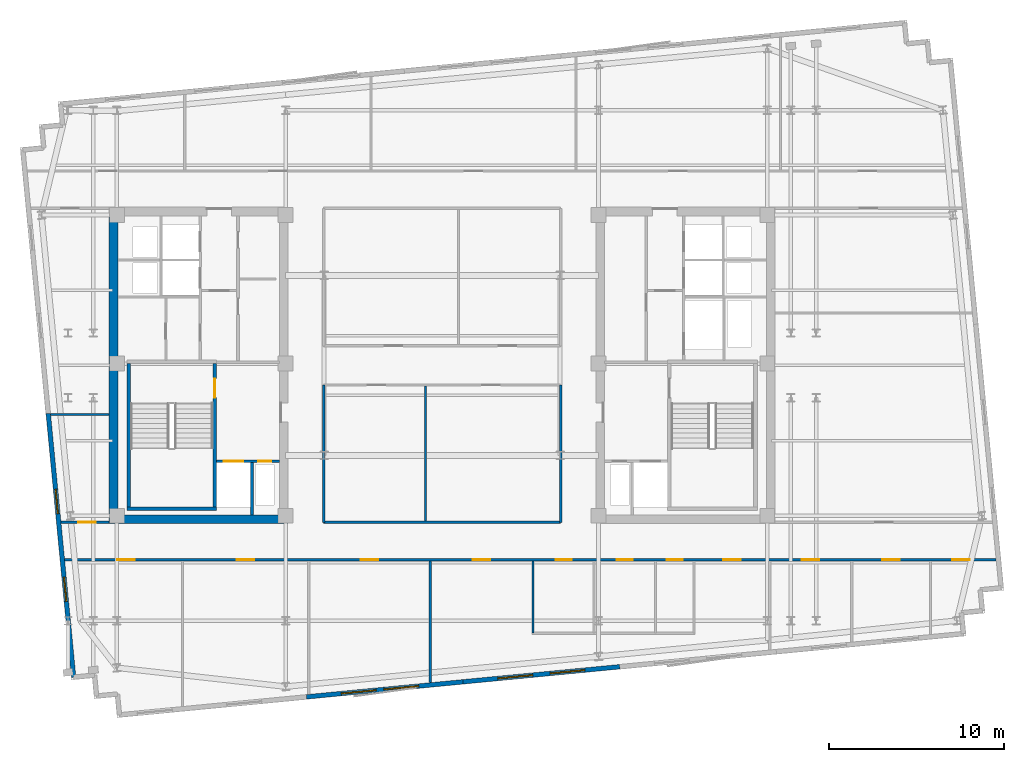
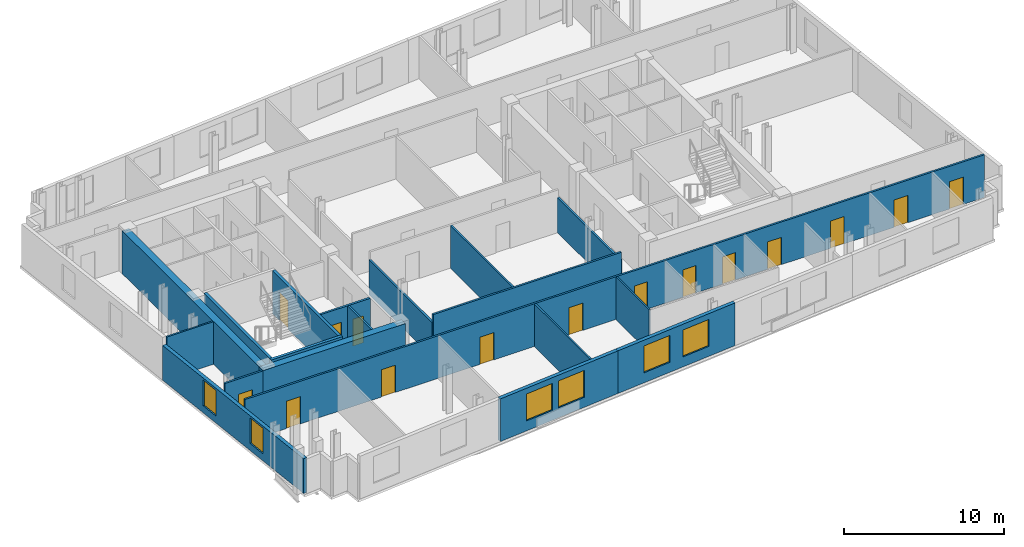
# One storey, part 3 of 9: 19 walls, 15 doors, 6 windows, 21 openings.
"""IFC4 building model written with IfcOpenShell, lengths in metres."""

from ifc_helpers import new_model, si_unit, direction, frame, frame_2d, origin, place, context, subcontext, project, spatial, rectangle, extrude, material, layer, layer_set, type_object, element, fill, save


model = new_model("IFC4")

# Units and contexts
model_context = context("Model", 3, precision=1e-05, world=origin(), true_north=direction((0.0, 1.0)))
body_context = subcontext(model_context, "Body", "Model", "MODEL_VIEW")
ifc_project = project(units=[si_unit("LENGTHUNIT", "METRE"), si_unit("AREAUNIT", "SQUARE_METRE"), si_unit("VOLUMEUNIT", "CUBIC_METRE"), si_unit("PLANEANGLEUNIT", "RADIAN"), si_unit("MASSUNIT", "GRAM", prefix="KILO")], contexts=[model_context])

# Site, building, storey
site_placement = place(None, origin())
site = spatial("IfcSite", under=ifc_project, at=site_placement, CompositionType="ELEMENT")
building_placement = place(site_placement, origin())
building = spatial("IfcBuilding", under=site, at=building_placement, Name="Velakula Bourse", CompositionType="ELEMENT")
storey_placement = place(building_placement, frame((0.0, 0.0, 262.050048828125)))
storey = spatial("IfcBuildingStorey", under=building, at=storey_placement, Name="L71", CompositionType="ELEMENT", Elevation=262.050048828125)

# Wall, opening, door
ifc_material_1 = material(Name="Concrete M50 (fck 50 MPa)", Category="concrete")
ifc_layer_1 = layer(ifc_material_1, 0.2099609375, Name="Concrete M50 (fck 50 MPa)", Category="concrete")
ifc_layer_set_1 = layer_set([ifc_layer_1], Name="Concrete M50 (fck 50 MPa)")
wall_type_1 = type_object("IfcWallType", Name="WL-CORE-210", PredefinedType="SHEAR", material=ifc_layer_set_1)
wall_1_placement = place(storey_placement, frame((-12.9951171875, -8.10009765625, 0.0), z_axis=(0.0, 0.0, 1.0), x_axis=(0.0, 1.0, 0.0)))
wall_1 = element("IfcWall", 1, at=wall_1_placement, inside=storey, type_object=wall_type_1, Name="L71 Core W Stairwell Shear Wall IN", PredefinedType="SHEAR", context=body_context, shape_type="SweptSolid", body=[
    extrude(rectangle(XDim=8.2001953125, YDim=0.2099609375, at=frame_2d((4.10009765625, 0.0))), origin(), (0.0, 0.0, 1.0), 3.27001953125),
])
opening_1_placement = place(wall_1_placement, frame((6.25, 0.0, 0.0)))
opening_1 = element("IfcOpeningElement", 2, at=opening_1_placement, cuts=wall_1, Name="Opening D-STW1", PredefinedType="OPENING", context=body_context, shape_type="SweptSolid", body=[
    extrude(rectangle(XDim=1.10009765625, YDim=2.14990234375, at=frame_2d((0.550048828125, 1.074951171875))), frame((0.0, 0.114990234375, 0.0), z_axis=(0.0, -1.0, 0.0), x_axis=(1.0, 0.0, 0.0)), (0.0, 0.0, 1.0), 0.22998046875),
])
ifc_material_2 = material(Name="Galvanised painted hollow steel fire door", Category="steel")
door_type_1 = type_object("IfcDoorType", Name="DR-FD120-1100x2150", OperationType="NOTDEFINED", PredefinedType="DOOR", material=ifc_material_2)
door_1_placement = place(opening_1_placement, origin())
door_1 = element("IfcDoor", 3, at=door_1_placement, inside=storey, type_object=door_type_1, Name="L71 Stair ST-W1 Fire Door", OperationType="SINGLE_SWING_LEFT", OverallHeight=2.14990234375, OverallWidth=1.10009765625, PredefinedType="DOOR", context=body_context, shape_type="SweptSolid", body=[
    extrude(rectangle(XDim=1.10009765625, YDim=2.14990234375, at=frame_2d((0.550048828125, 1.074951171875))), frame((0.0, 0.02490234375, 0.0), z_axis=(0.0, -1.0, 0.0), x_axis=(1.0, 0.0, 0.0)), (0.0, 0.0, 1.0), 0.050048828125),
])
fill(opening_1, door_1)

# Walls
wall_2_placement = place(storey_placement, frame((-17.925048828125, -8.10009765625, 0.0), z_axis=(0.0, 0.0, 1.0), x_axis=(0.0, 1.0, 0.0)))
element("IfcWall", 4, at=wall_2_placement, inside=storey, type_object=wall_type_1, Name="L71 Core W Stairwell Shear Wall OUT", PredefinedType="SHEAR", context=body_context, shape_type="SweptSolid", body=[
    extrude(rectangle(XDim=8.2001953125, YDim=0.2099609375, at=frame_2d((4.10009765625, 0.0))), origin(), (0.0, 0.0, 1.0), 3.27001953125),
])
wall_3_placement = place(storey_placement, frame((-18.030029296875, -8.205078125, 0.0), z_axis=(0.0, 0.0, 1.0), x_axis=(1.0, 0.0, 0.0)))
element("IfcWall", 5, at=wall_3_placement, inside=storey, type_object=wall_type_1, Name="L71 Core W Stairwell Shear Wall S", PredefinedType="SHEAR", context=body_context, shape_type="SweptSolid", body=[
    extrude(rectangle(XDim=5.14013671875, YDim=0.2099609375, at=frame_2d((2.570068359375, 0.0))), origin(), (0.0, 0.0, 1.0), 3.27001953125),
])
ifc_layer_2 = layer(ifc_material_1, 0.5, Name="Concrete M50 (fck 50 MPa)", Category="concrete")
ifc_layer_set_2 = layer_set([ifc_layer_2], Name="Concrete M50 (fck 50 MPa)")
wall_type_2 = type_object("IfcWallType", Name="WL-CORE-500", PredefinedType="SHEAR", material=ifc_layer_set_2)
wall_4_placement = place(storey_placement, frame((-19.050048828125, -8.800048828125, 0.0), z_axis=(0.0, 0.0, 1.0), x_axis=(1.0, 0.0, 0.0)))
element("IfcWall", 6, at=wall_4_placement, inside=storey, type_object=wall_type_2, Name="L71 Core W Shear Wall S", PredefinedType="SHEAR", context=body_context, shape_type="SweptSolid", body=[
    extrude(rectangle(XDim=10.25, YDim=0.5, at=frame_2d((5.125, 0.0))), origin(), (0.0, 0.0, 1.0), 3.27001953125),
])
wall_5_placement = place(storey_placement, frame((-18.800048828125, -8.550048828125, 0.0), z_axis=(0.0, 0.0, 1.0), x_axis=(0.0, 1.0, 0.0)))
element("IfcWall", 7, at=wall_5_placement, inside=storey, type_object=wall_type_2, Name="L71 Core W Shear Wall W", PredefinedType="SHEAR", context=body_context, shape_type="SweptSolid", body=[
    extrude(rectangle(XDim=17.10009765625, YDim=0.5, at=frame_2d((8.550048828125, 0.0))), origin(), (0.0, 0.0, 1.0), 3.27001953125),
])

# Wall, openings, windows
ifc_material_3 = material(Name="Buff kilned clay facing brick masonry", Category="masonry")
ifc_layer_3 = layer(ifc_material_3, 0.260009765625, Name="Buff kilned clay facing brick masonry", Category="masonry")
ifc_layer_set_3 = layer_set([ifc_layer_3], Name="Buff kilned clay facing brick masonry")
wall_type_3 = type_object("IfcWallType", Name="WL-EXT-BRK-260", PredefinedType="STANDARD", material=ifc_layer_set_3)
wall_6_placement = place(storey_placement, frame((1.202880859375, -18.1005859375, 0.0), z_axis=(0.0, 0.0, 1.0), x_axis=(-0.995397043619, -0.095836973841, 0.0)))
wall_6 = element("IfcWall", 8, at=wall_6_placement, inside=storey, type_object=wall_type_3, Name="L71 S Brick Spandrel Wall B2", PredefinedType="STANDARD", context=body_context, shape_type="SweptSolid", body=[
    extrude(rectangle(XDim=9.000244140625, YDim=0.260009765625, at=frame_2d((4.5, 0.0))), origin(), (0.0, 0.0, 1.0), 3.25),
])
opening_2_placement = place(wall_6_placement, frame((2.550048828125, 0.0, 0.760009765625)))
opening_2 = element("IfcOpeningElement", 9, at=opening_2_placement, cuts=wall_6, Name="Opening W-05", PredefinedType="OPENING", context=body_context, shape_type="SweptSolid", body=[
    extrude(rectangle(XDim=2.0, YDim=2.050048828125, at=frame_2d((1.0, 1.02490234375))), frame((0.0, 0.139892578125, 0.0), z_axis=(0.0, -1.0, 0.0), x_axis=(1.0, 0.0, 0.0)), (0.0, 0.0, 1.0), 0.280029296875),
])
opening_3_placement = place(wall_6_placement, frame((5.0, 0.0, 0.760009765625)))
opening_3 = element("IfcOpeningElement", 10, at=opening_3_placement, cuts=wall_6, Name="Opening W-05", PredefinedType="OPENING", context=body_context, shape_type="SweptSolid", body=[
    extrude(rectangle(XDim=2.0, YDim=2.050048828125, at=frame_2d((1.0, 1.02490234375))), frame((0.0, 0.139892578125, 0.0), z_axis=(0.0, -1.0, 0.0), x_axis=(1.0, 0.0, 0.0)), (0.0, 0.0, 1.0), 0.280029296875),
])
ifc_material_4 = material(Name="Double-glazed solar-control Low-E glass", Category="glass")
window_type_1 = type_object("IfcWindowType", Name="WIN-TWR-2000x2200", PartitioningType="DOUBLE_PANEL_VERTICAL", PredefinedType="WINDOW", material=ifc_material_4)
window_1_placement = place(opening_2_placement, origin())
window_1 = element("IfcWindow", 11, at=window_1_placement, inside=storey, type_object=window_type_1, Name="L71 Deep-Set Recessed Window 1", OverallHeight=2.050048828125, OverallWidth=2.0, PartitioningType="DOUBLE_PANEL_VERTICAL", PredefinedType="WINDOW", context=body_context, shape_type="SweptSolid", body=[
    extrude(rectangle(XDim=2.0, YDim=2.050048828125, at=frame_2d((1.0, 1.02490234375))), frame((0.0, 0.030029296875, 0.0), z_axis=(0.0, -1.0, 0.0), x_axis=(1.0, 0.0, 0.0)), (0.0, 0.0, 1.0), 0.06005859375),
])
fill(opening_2, window_1)
window_2_placement = place(opening_3_placement, origin())
window_2 = element("IfcWindow", 12, at=window_2_placement, inside=storey, type_object=window_type_1, Name="L71 Deep-Set Recessed Window 2", OverallHeight=2.050048828125, OverallWidth=2.0, PartitioningType="DOUBLE_PANEL_VERTICAL", PredefinedType="WINDOW", context=body_context, shape_type="SweptSolid", body=[
    extrude(rectangle(XDim=2.0, YDim=2.050048828125, at=frame_2d((1.0, 1.02490234375))), frame((0.0, 0.030029296875, 0.0), z_axis=(0.0, -1.0, 0.0), x_axis=(1.0, 0.0, 0.0)), (0.0, 0.0, 1.0), 0.06005859375),
])
fill(opening_3, window_2)

wall_7_placement = place(storey_placement, frame((10.161376953125, -17.23779296875, 0.0), z_axis=(0.0, 0.0, 1.0), x_axis=(-0.995394206237, -0.095866439332, 0.0)))
wall_7 = element("IfcWall", 13, at=wall_7_placement, inside=storey, type_object=wall_type_3, Name="L71 S Brick Spandrel Wall B3", PredefinedType="STANDARD", context=body_context, shape_type="SweptSolid", body=[
    extrude(rectangle(XDim=9.0, YDim=0.260009765625, at=frame_2d((4.5, 0.0))), origin(), (0.0, 0.0, 1.0), 3.25),
])
opening_4_placement = place(wall_7_placement, frame((2.0, 0.0, 0.760009765625)))
opening_4 = element("IfcOpeningElement", 14, at=opening_4_placement, cuts=wall_7, Name="Opening W-05", PredefinedType="OPENING", context=body_context, shape_type="SweptSolid", body=[
    extrude(rectangle(XDim=2.0, YDim=2.050048828125, at=frame_2d((1.0, 1.02490234375))), frame((0.0, 0.139892578125, 0.0), z_axis=(0.0, -1.0, 0.0), x_axis=(1.0, 0.0, 0.0)), (0.0, 0.0, 1.0), 0.280029296875),
])
opening_5_placement = place(wall_7_placement, frame((5.0, 0.0, 0.760009765625)))
opening_5 = element("IfcOpeningElement", 15, at=opening_5_placement, cuts=wall_7, Name="Opening W-05", PredefinedType="OPENING", context=body_context, shape_type="SweptSolid", body=[
    extrude(rectangle(XDim=2.0, YDim=2.050048828125, at=frame_2d((1.0, 1.02490234375))), frame((0.0, 0.139892578125, 0.0), z_axis=(0.0, -1.0, 0.0), x_axis=(1.0, 0.0, 0.0)), (0.0, 0.0, 1.0), 0.280029296875),
])
window_3_placement = place(opening_4_placement, origin())
window_3 = element("IfcWindow", 16, at=window_3_placement, inside=storey, type_object=window_type_1, Name="L71 Deep-Set Recessed Window 1", OverallHeight=2.050048828125, OverallWidth=2.0, PartitioningType="DOUBLE_PANEL_VERTICAL", PredefinedType="WINDOW", context=body_context, shape_type="SweptSolid", body=[
    extrude(rectangle(XDim=2.0, YDim=2.050048828125, at=frame_2d((1.0, 1.02490234375))), frame((0.0, 0.030029296875, 0.0), z_axis=(0.0, -1.0, 0.0), x_axis=(1.0, 0.0, 0.0)), (0.0, 0.0, 1.0), 0.06005859375),
])
fill(opening_4, window_3)
window_4_placement = place(opening_5_placement, origin())
window_4 = element("IfcWindow", 17, at=window_4_placement, inside=storey, type_object=window_type_1, Name="L71 Deep-Set Recessed Window 2", OverallHeight=2.050048828125, OverallWidth=2.0, PartitioningType="DOUBLE_PANEL_VERTICAL", PredefinedType="WINDOW", context=body_context, shape_type="SweptSolid", body=[
    extrude(rectangle(XDim=2.0, YDim=2.050048828125, at=frame_2d((1.0, 1.02490234375))), frame((0.0, 0.030029296875, 0.0), z_axis=(0.0, -1.0, 0.0), x_axis=(1.0, 0.0, 0.0)), (0.0, 0.0, 1.0), 0.06005859375),
])
fill(opening_5, window_4)

wall_8_placement = place(storey_placement, frame((-21.0751953125, -17.83447265625, 0.0), z_axis=(0.0, 0.0, 1.0), x_axis=(-0.095852427869, 0.995395555582, 0.0)))
wall_8 = element("IfcWall", 18, at=wall_8_placement, inside=storey, type_object=wall_type_3, Name="L71 W Brick End Wall W1", PredefinedType="STANDARD", context=body_context, shape_type="SweptSolid", body=[
    extrude(rectangle(XDim=15.14990234375, YDim=0.260009765625, at=frame_2d((7.574951171875, 0.0))), origin(), (0.0, 0.0, 1.0), 2.64501953125),
])
opening_6_placement = place(wall_8_placement, frame((4.35009765625, 0.0, 0.534912109375)))
opening_6 = element("IfcOpeningElement", 19, at=opening_6_placement, cuts=wall_8, Name="Opening W-03", PredefinedType="OPENING", context=body_context, shape_type="SweptSolid", body=[
    extrude(rectangle(XDim=1.39990234375, YDim=1.949951171875, at=frame_2d((0.699951171875, 0.97509765625))), frame((0.0, 0.139892578125, 0.0), z_axis=(0.0, -1.0, 0.0), x_axis=(1.0, 0.0, 0.0)), (0.0, 0.0, 1.0), 0.280029296875),
])
opening_7_placement = place(wall_8_placement, frame((9.39990234375, 0.0, 0.534912109375)))
opening_7 = element("IfcOpeningElement", 20, at=opening_7_placement, cuts=wall_8, Name="Opening W-03", PredefinedType="OPENING", context=body_context, shape_type="SweptSolid", body=[
    extrude(rectangle(XDim=1.39990234375, YDim=1.949951171875, at=frame_2d((0.699951171875, 0.97509765625))), frame((0.0, 0.139892578125, 0.0), z_axis=(0.0, -1.0, 0.0), x_axis=(1.0, 0.0, 0.0)), (0.0, 0.0, 1.0), 0.280029296875),
])
window_type_2 = type_object("IfcWindowType", Name="WIN-TWR-1400x2100", PartitioningType="SINGLE_PANEL", PredefinedType="WINDOW", material=ifc_material_4)
window_5_placement = place(opening_6_placement, origin())
window_5 = element("IfcWindow", 21, at=window_5_placement, inside=storey, type_object=window_type_2, Name="L71 Deep-Set Recessed Window 1", OverallHeight=1.949951171875, OverallWidth=1.39990234375, PartitioningType="SINGLE_PANEL", PredefinedType="WINDOW", context=body_context, shape_type="SweptSolid", body=[
    extrude(rectangle(XDim=1.39990234375, YDim=1.949951171875, at=frame_2d((0.699951171875, 0.97509765625))), frame((0.0, 0.030029296875, 0.0), z_axis=(0.0, -1.0, 0.0), x_axis=(1.0, 0.0, 0.0)), (0.0, 0.0, 1.0), 0.06005859375),
])
fill(opening_6, window_5)
window_6_placement = place(opening_7_placement, origin())
window_6 = element("IfcWindow", 22, at=window_6_placement, inside=storey, type_object=window_type_2, Name="L71 Deep-Set Recessed Window 2", OverallHeight=1.949951171875, OverallWidth=1.39990234375, PartitioningType="SINGLE_PANEL", PredefinedType="WINDOW", context=body_context, shape_type="SweptSolid", body=[
    extrude(rectangle(XDim=1.39990234375, YDim=1.949951171875, at=frame_2d((0.699951171875, 0.97509765625))), frame((0.0, 0.030029296875, 0.0), z_axis=(0.0, -1.0, 0.0), x_axis=(1.0, 0.0, 0.0)), (0.0, 0.0, 1.0), 0.06005859375),
])
fill(opening_7, window_6)

# Walls
ifc_material_5 = material(Name="Fire-rated double-layer gypsum drywall partition", Category="gypsum")
ifc_layer_4 = layer(ifc_material_5, 0.1201171875, Name="Fire-rated double-layer gypsum drywall partition", Category="gypsum")
ifc_layer_set_4 = layer_set([ifc_layer_4], Name="Fire-rated double-layer gypsum drywall partition")
wall_type_4 = type_object("IfcWallType", Name="WL-PART-120", PredefinedType="STANDARD", material=ifc_layer_set_4)
wall_9_placement = place(storey_placement, frame((5.199951171875, -15.320068359375, 0.0), z_axis=(0.0, 0.0, 1.0), x_axis=(0.0, 1.0, 0.0)))
element("IfcWall", 23, at=wall_9_placement, inside=storey, type_object=wall_type_4, Name="L71 Interior Partition WL-WC-L71-V1", PredefinedType="STANDARD", context=body_context, shape_type="SweptSolid", body=[
    extrude(rectangle(XDim=4.130126953125, YDim=0.1201171875, at=frame_2d((2.06494140625, 0.0))), origin(), (0.0, 0.0, 1.0), 3.25),
])
wall_10_placement = place(storey_placement, frame((-0.678955078125, -18.151123046875, 0.0), z_axis=(0.0, 0.0, 1.0), x_axis=(0.0, 1.0, 0.0)))
element("IfcWall", 24, at=wall_10_placement, inside=storey, type_object=wall_type_4, Name="L71 Interior Partition WL-INT-L71-SL-D7", PredefinedType="STANDARD", context=body_context, shape_type="SweptSolid", body=[
    extrude(rectangle(XDim=6.961181640625, YDim=0.1201171875, at=frame_2d((3.48046875, 0.0))), origin(), (0.0, 0.0, 1.0), 3.25),
])
wall_11_placement = place(storey_placement, frame((-22.392333984375, -2.800048828125, 0.0), z_axis=(0.0, 0.0, 1.0), x_axis=(1.0, 0.0, 0.0)))
element("IfcWall", 25, at=wall_11_placement, inside=storey, type_object=wall_type_4, Name="L71 Interior Partition WL-INT-L71-W-H", PredefinedType="STANDARD", context=body_context, shape_type="SweptSolid", body=[
    extrude(rectangle(XDim=3.34228515625, YDim=0.1201171875, at=frame_2d((1.671142578125, 0.0))), origin(), (0.0, 0.0, 1.0), 3.25),
])

# Wall, openings, doors
ifc_layer_5 = layer(ifc_material_5, 0.139892578125, Name="Fire-rated double-layer gypsum drywall partition", Category="gypsum")
ifc_layer_set_5 = layer_set([ifc_layer_5], Name="Fire-rated double-layer gypsum drywall partition")
wall_type_5 = type_object("IfcWallType", Name="WL-PART-140", PredefinedType="STANDARD", material=ifc_layer_set_5)
wall_12_placement = place(storey_placement, frame((-21.59130859375, -11.1201171875, 0.0), z_axis=(0.0, 0.0, 1.0), x_axis=(1.0, 0.0, 0.0)))
wall_12 = element("IfcWall", 26, at=wall_12_placement, inside=storey, type_object=wall_type_5, Name="L71 Interior Partition WL-INT-L71-S-CORR", PredefinedType="STANDARD", context=body_context, shape_type="SweptSolid", body=[
    extrude(rectangle(XDim=53.285400390625, YDim=0.139892578125, at=frame_2d((26.642578125, 0.0))), origin(), (0.0, 0.0, 1.0), 3.25),
])
opening_8_placement = place(wall_12_placement, frame((28.081298828125, 0.0, 0.0)))
opening_8 = element("IfcOpeningElement", 27, at=opening_8_placement, cuts=wall_12, Name="Opening D-WT1", PredefinedType="OPENING", context=body_context, shape_type="SweptSolid", body=[
    extrude(rectangle(XDim=0.919921875, YDim=2.080078125, at=frame_2d((0.4599609375, 1.0400390625))), frame((0.0, 0.079833984375, 0.0), z_axis=(0.0, -1.0, 0.0), x_axis=(1.0, 0.0, 0.0)), (0.0, 0.0, 1.0), 0.159912109375),
])
opening_9_placement = place(wall_12_placement, frame((31.581298828125, 0.0, 0.0)))
opening_9 = element("IfcOpeningElement", 28, at=opening_9_placement, cuts=wall_12, Name="Opening D-WT1", PredefinedType="OPENING", context=body_context, shape_type="SweptSolid", body=[
    extrude(rectangle(XDim=0.919921875, YDim=2.080078125, at=frame_2d((0.4599609375, 1.0400390625))), frame((0.0, 0.079833984375, 0.0), z_axis=(0.0, -1.0, 0.0), x_axis=(1.0, 0.0, 0.0)), (0.0, 0.0, 1.0), 0.159912109375),
])
opening_10_placement = place(wall_12_placement, frame((34.43115234375, 0.0, 0.0)))
opening_10 = element("IfcOpeningElement", 29, at=opening_10_placement, cuts=wall_12, Name="Opening D-WC1", PredefinedType="OPENING", context=body_context, shape_type="SweptSolid", body=[
    extrude(rectangle(XDim=0.919921875, YDim=2.080078125, at=frame_2d((0.4599609375, 1.0400390625))), frame((0.0, 0.079833984375, 0.0), z_axis=(0.0, -1.0, 0.0), x_axis=(1.0, 0.0, 0.0)), (0.0, 0.0, 1.0), 0.159912109375),
])
opening_11_placement = place(wall_12_placement, frame((3.0, 0.0, 0.0)))
opening_11 = element("IfcOpeningElement", 30, at=opening_11_placement, cuts=wall_12, Name="Opening D-OF1", PredefinedType="OPENING", context=body_context, shape_type="SweptSolid", body=[
    extrude(rectangle(XDim=1.0, YDim=2.080078125, at=frame_2d((0.5, 1.0400390625))), frame((0.0, 0.079833984375, 0.0), z_axis=(0.0, -1.0, 0.0), x_axis=(1.0, 0.0, 0.0)), (0.0, 0.0, 1.0), 0.159912109375),
])
opening_12_placement = place(wall_12_placement, frame((9.855712890625, 0.0, 0.0)))
opening_12 = element("IfcOpeningElement", 31, at=opening_12_placement, cuts=wall_12, Name="Opening D-OF1", PredefinedType="OPENING", context=body_context, shape_type="SweptSolid", body=[
    extrude(rectangle(XDim=1.0, YDim=2.080078125, at=frame_2d((0.5, 1.0400390625))), frame((0.0, 0.079833984375, 0.0), z_axis=(0.0, -1.0, 0.0), x_axis=(1.0, 0.0, 0.0)), (0.0, 0.0, 1.0), 0.159912109375),
])
opening_13_placement = place(wall_12_placement, frame((16.937744140625, 0.0, 0.0)))
opening_13 = element("IfcOpeningElement", 32, at=opening_13_placement, cuts=wall_12, Name="Opening D-OF1", PredefinedType="OPENING", context=body_context, shape_type="SweptSolid", body=[
    extrude(rectangle(XDim=1.0, YDim=2.080078125, at=frame_2d((0.5, 1.0400390625))), frame((0.0, 0.079833984375, 0.0), z_axis=(0.0, -1.0, 0.0), x_axis=(1.0, 0.0, 0.0)), (0.0, 0.0, 1.0), 0.159912109375),
])
opening_14_placement = place(wall_12_placement, frame((23.351806640625, 0.0, 0.0)))
opening_14 = element("IfcOpeningElement", 33, at=opening_14_placement, cuts=wall_12, Name="Opening D-OF1", PredefinedType="OPENING", context=body_context, shape_type="SweptSolid", body=[
    extrude(rectangle(XDim=1.0, YDim=2.080078125, at=frame_2d((0.5, 1.0400390625))), frame((0.0, 0.079833984375, 0.0), z_axis=(0.0, -1.0, 0.0), x_axis=(1.0, 0.0, 0.0)), (0.0, 0.0, 1.0), 0.159912109375),
])
opening_15_placement = place(wall_12_placement, frame((37.66259765625, 0.0, 0.0)))
opening_15 = element("IfcOpeningElement", 34, at=opening_15_placement, cuts=wall_12, Name="Opening D-OF1", PredefinedType="OPENING", context=body_context, shape_type="SweptSolid", body=[
    extrude(rectangle(XDim=1.0, YDim=2.080078125, at=frame_2d((0.5, 1.0400390625))), frame((0.0, 0.079833984375, 0.0), z_axis=(0.0, -1.0, 0.0), x_axis=(1.0, 0.0, 0.0)), (0.0, 0.0, 1.0), 0.159912109375),
])
opening_16_placement = place(wall_12_placement, frame((42.17919921875, 0.0, 0.0)))
opening_16 = element("IfcOpeningElement", 35, at=opening_16_placement, cuts=wall_12, Name="Opening D-OF1", PredefinedType="OPENING", context=body_context, shape_type="SweptSolid", body=[
    extrude(rectangle(XDim=1.0, YDim=2.080078125, at=frame_2d((0.5, 1.0400390625))), frame((0.0, 0.079833984375, 0.0), z_axis=(0.0, -1.0, 0.0), x_axis=(1.0, 0.0, 0.0)), (0.0, 0.0, 1.0), 0.159912109375),
])
opening_17_placement = place(wall_12_placement, frame((46.78271484375, 0.0, 0.0)))
opening_17 = element("IfcOpeningElement", 36, at=opening_17_placement, cuts=wall_12, Name="Opening D-OF1", PredefinedType="OPENING", context=body_context, shape_type="SweptSolid", body=[
    extrude(rectangle(XDim=1.0, YDim=2.080078125, at=frame_2d((0.5, 1.0400390625))), frame((0.0, 0.079833984375, 0.0), z_axis=(0.0, -1.0, 0.0), x_axis=(1.0, 0.0, 0.0)), (0.0, 0.0, 1.0), 0.159912109375),
])
opening_18_placement = place(wall_12_placement, frame((50.787109375, 0.0, 0.0)))
opening_18 = element("IfcOpeningElement", 37, at=opening_18_placement, cuts=wall_12, Name="Opening D-OF1", PredefinedType="OPENING", context=body_context, shape_type="SweptSolid", body=[
    extrude(rectangle(XDim=1.0, YDim=2.080078125, at=frame_2d((0.5, 1.0400390625))), frame((0.0, 0.079833984375, 0.0), z_axis=(0.0, -1.0, 0.0), x_axis=(1.0, 0.0, 0.0)), (0.0, 0.0, 1.0), 0.159912109375),
])
ifc_material_6 = material(Name="Fire-rated hardwood flush architectural door", Category="wood")
door_type_2 = type_object("IfcDoorType", Name="DR-OFF-1000", OperationType="NOTDEFINED", PredefinedType="DOOR", material=ifc_material_6)
door_2_placement = place(opening_11_placement, origin())
door_2 = element("IfcDoor", 38, at=door_2_placement, inside=storey, type_object=door_type_2, Name="L71 Members Dining Lounge Door", OperationType="SINGLE_SWING_LEFT", OverallHeight=2.080078125, OverallWidth=1.0, PredefinedType="DOOR", context=body_context, shape_type="SweptSolid", body=[
    extrude(rectangle(XDim=1.0, YDim=2.080078125, at=frame_2d((0.5, 1.0400390625))), frame((0.0, 0.02490234375, 0.0), z_axis=(0.0, -1.0, 0.0), x_axis=(1.0, 0.0, 0.0)), (0.0, 0.0, 1.0), 0.050048828125),
])
fill(opening_11, door_2)
door_3_placement = place(opening_12_placement, origin())
door_3 = element("IfcDoor", 39, at=door_3_placement, inside=storey, type_object=door_type_2, Name="L71 Asset Allocation Office Door", OperationType="SINGLE_SWING_RIGHT", OverallHeight=2.080078125, OverallWidth=1.0, PredefinedType="DOOR", context=body_context, shape_type="SweptSolid", body=[
    extrude(rectangle(XDim=1.0, YDim=2.080078125, at=frame_2d((0.5, 1.0400390625))), frame((0.0, 0.02490234375, 0.0), z_axis=(0.0, -1.0, 0.0), x_axis=(1.0, 0.0, 0.0)), (0.0, 0.0, 1.0), 0.050048828125),
])
fill(opening_12, door_3)
door_4_placement = place(opening_13_placement, origin())
door_4 = element("IfcDoor", 40, at=door_4_placement, inside=storey, type_object=door_type_2, Name="L71 Listing Committee Chamber Door", OperationType="SINGLE_SWING_LEFT", OverallHeight=2.080078125, OverallWidth=1.0, PredefinedType="DOOR", context=body_context, shape_type="SweptSolid", body=[
    extrude(rectangle(XDim=1.0, YDim=2.080078125, at=frame_2d((0.5, 1.0400390625))), frame((0.0, 0.02490234375, 0.0), z_axis=(0.0, -1.0, 0.0), x_axis=(1.0, 0.0, 0.0)), (0.0, 0.0, 1.0), 0.050048828125),
])
fill(opening_13, door_4)
door_5_placement = place(opening_14_placement, origin())
door_5 = element("IfcDoor", 41, at=door_5_placement, inside=storey, type_object=door_type_2, Name="L71 Traders Pantry Door", OperationType="SINGLE_SWING_RIGHT", OverallHeight=2.080078125, OverallWidth=1.0, PredefinedType="DOOR", context=body_context, shape_type="SweptSolid", body=[
    extrude(rectangle(XDim=1.0, YDim=2.080078125, at=frame_2d((0.5, 1.0400390625))), frame((0.0, 0.02490234375, 0.0), z_axis=(0.0, -1.0, 0.0), x_axis=(1.0, 0.0, 0.0)), (0.0, 0.0, 1.0), 0.050048828125),
])
fill(opening_14, door_5)
door_6_placement = place(opening_15_placement, origin())
door_6 = element("IfcDoor", 42, at=door_6_placement, inside=storey, type_object=door_type_2, Name="L71 Prime-Brokerage Dealing Workspace Door", OperationType="SINGLE_SWING_LEFT", OverallHeight=2.080078125, OverallWidth=1.0, PredefinedType="DOOR", context=body_context, shape_type="SweptSolid", body=[
    extrude(rectangle(XDim=1.0, YDim=2.080078125, at=frame_2d((0.5, 1.0400390625))), frame((0.0, 0.02490234375, 0.0), z_axis=(0.0, -1.0, 0.0), x_axis=(1.0, 0.0, 0.0)), (0.0, 0.0, 1.0), 0.050048828125),
])
fill(opening_15, door_6)
door_7_placement = place(opening_16_placement, origin())
door_7 = element("IfcDoor", 43, at=door_7_placement, inside=storey, type_object=door_type_2, Name="L71 Company Secretary Office Door", OperationType="SINGLE_SWING_RIGHT", OverallHeight=2.080078125, OverallWidth=1.0, PredefinedType="DOOR", context=body_context, shape_type="SweptSolid", body=[
    extrude(rectangle(XDim=1.0, YDim=2.080078125, at=frame_2d((0.5, 1.0400390625))), frame((0.0, 0.02490234375, 0.0), z_axis=(0.0, -1.0, 0.0), x_axis=(1.0, 0.0, 0.0)), (0.0, 0.0, 1.0), 0.050048828125),
])
fill(opening_16, door_7)
door_8_placement = place(opening_17_placement, origin())
door_8 = element("IfcDoor", 44, at=door_8_placement, inside=storey, type_object=door_type_2, Name="L71 Members Dining Lounge Door", OperationType="SINGLE_SWING_LEFT", OverallHeight=2.080078125, OverallWidth=1.0, PredefinedType="DOOR", context=body_context, shape_type="SweptSolid", body=[
    extrude(rectangle(XDim=1.0, YDim=2.080078125, at=frame_2d((0.5, 1.0400390625))), frame((0.0, 0.02490234375, 0.0), z_axis=(0.0, -1.0, 0.0), x_axis=(1.0, 0.0, 0.0)), (0.0, 0.0, 1.0), 0.050048828125),
])
fill(opening_17, door_8)
door_9_placement = place(opening_18_placement, origin())
door_9 = element("IfcDoor", 45, at=door_9_placement, inside=storey, type_object=door_type_2, Name="L71 Asset Allocation Office Door", OperationType="SINGLE_SWING_RIGHT", OverallHeight=2.080078125, OverallWidth=1.0, PredefinedType="DOOR", context=body_context, shape_type="SweptSolid", body=[
    extrude(rectangle(XDim=1.0, YDim=2.080078125, at=frame_2d((0.5, 1.0400390625))), frame((0.0, 0.02490234375, 0.0), z_axis=(0.0, -1.0, 0.0), x_axis=(1.0, 0.0, 0.0)), (0.0, 0.0, 1.0), 0.050048828125),
])
fill(opening_18, door_9)
door_type_3 = type_object("IfcDoorType", Name="DR-WC-950", OperationType="NOTDEFINED", PredefinedType="DOOR", material=ifc_material_6)
door_10_placement = place(opening_8_placement, origin())
door_10 = element("IfcDoor", 46, at=door_10_placement, inside=storey, type_object=door_type_3, Name="L71 Male Staff Toilet Door", OperationType="SINGLE_SWING_RIGHT", OverallHeight=2.080078125, OverallWidth=0.919921875, PredefinedType="DOOR", context=body_context, shape_type="SweptSolid", body=[
    extrude(rectangle(XDim=0.919921875, YDim=2.080078125, at=frame_2d((0.4599609375, 1.0400390625))), frame((0.0, 0.02490234375, 0.0), z_axis=(0.0, -1.0, 0.0), x_axis=(1.0, 0.0, 0.0)), (0.0, 0.0, 1.0), 0.050048828125),
])
fill(opening_8, door_10)
door_11_placement = place(opening_9_placement, origin())
door_11 = element("IfcDoor", 47, at=door_11_placement, inside=storey, type_object=door_type_3, Name="L71 Female Staff Toilet Door", OperationType="SINGLE_SWING_LEFT", OverallHeight=2.080078125, OverallWidth=0.919921875, PredefinedType="DOOR", context=body_context, shape_type="SweptSolid", body=[
    extrude(rectangle(XDim=0.919921875, YDim=2.080078125, at=frame_2d((0.4599609375, 1.0400390625))), frame((0.0, 0.02490234375, 0.0), z_axis=(0.0, -1.0, 0.0), x_axis=(1.0, 0.0, 0.0)), (0.0, 0.0, 1.0), 0.050048828125),
])
fill(opening_9, door_11)
door_12_placement = place(opening_10_placement, origin())
door_12 = element("IfcDoor", 48, at=door_12_placement, inside=storey, type_object=door_type_3, Name="L71 Accessible WC Door", OperationType="SINGLE_SWING_RIGHT", OverallHeight=2.080078125, OverallWidth=0.919921875, PredefinedType="DOOR", context=body_context, shape_type="SweptSolid", body=[
    extrude(rectangle(XDim=0.919921875, YDim=2.080078125, at=frame_2d((0.4599609375, 1.0400390625))), frame((0.0, 0.02490234375, 0.0), z_axis=(0.0, -1.0, 0.0), x_axis=(1.0, 0.0, 0.0)), (0.0, 0.0, 1.0), 0.050048828125),
])
fill(opening_10, door_12)

# Wall, opening, door
wall_13_placement = place(storey_placement, frame((-21.797119140625, -8.97998046875, 0.0), z_axis=(0.0, 0.0, 1.0), x_axis=(1.0, 0.0, 0.0)))
wall_13 = element("IfcWall", 49, at=wall_13_placement, inside=storey, type_object=wall_type_5, Name="L71 Interior Partition WL-INT-L71-W-SC", PredefinedType="STANDARD", context=body_context, shape_type="SweptSolid", body=[
    extrude(rectangle(XDim=2.7470703125, YDim=0.139892578125, at=frame_2d((1.37353515625, 0.0))), origin(), (0.0, 0.0, 1.0), 3.25),
])
opening_19_placement = place(wall_13_placement, frame((0.984375, 0.0, 0.0)))
opening_19 = element("IfcOpeningElement", 50, at=opening_19_placement, cuts=wall_13, Name="Opening D-OF1", PredefinedType="OPENING", context=body_context, shape_type="SweptSolid", body=[
    extrude(rectangle(XDim=1.0, YDim=2.080078125, at=frame_2d((0.5, 1.0400390625))), frame((0.0, 0.079833984375, 0.0), z_axis=(0.0, -1.0, 0.0), x_axis=(1.0, 0.0, 0.0)), (0.0, 0.0, 1.0), 0.159912109375),
])
door_13_placement = place(opening_19_placement, origin())
door_13 = element("IfcDoor", 51, at=door_13_placement, inside=storey, type_object=door_type_2, Name="L71 Central Depository Workspace Door", OperationType="SINGLE_SWING_RIGHT", OverallHeight=2.080078125, OverallWidth=1.0, PredefinedType="DOOR", context=body_context, shape_type="SweptSolid", body=[
    extrude(rectangle(XDim=1.0, YDim=2.080078125, at=frame_2d((0.5, 1.0400390625))), frame((0.0, 0.02490234375, 0.0), z_axis=(0.0, -1.0, 0.0), x_axis=(1.0, 0.0, 0.0)), (0.0, 0.0, 1.0), 0.050048828125),
])
fill(opening_19, door_13)

# Walls
wall_14_placement = place(storey_placement, frame((-6.780029296875, -8.97998046875, 0.0), z_axis=(0.0, 0.0, 1.0), x_axis=(1.0, 0.0, 0.0)))
element("IfcWall", 52, at=wall_14_placement, inside=storey, type_object=wall_type_5, Name="L71 Interior Partition WL-INT-L71-MS-OUT", PredefinedType="STANDARD", context=body_context, shape_type="SweptSolid", body=[
    extrude(rectangle(XDim=13.56005859375, YDim=0.139892578125, at=frame_2d((6.780029296875, 0.0))), origin(), (0.0, 0.0, 1.0), 3.25),
])
for number, where, z_axis, x_axis, name in (
    (53, (-6.780029296875, -8.97998046875, 0.0), (0.0, 0.0, 1.0), (0.0, 1.0, 0.0), "L71 Interior Partition WL-INT-L71-MS-W"),
    (54, (6.780029296875, -8.97998046875, 0.0), (0.0, 0.0, 1.0), (0.0, 1.0, 0.0), "L71 Interior Partition WL-INT-L71-MS-E"),
):
    element("IfcWall", number, at=place(storey_placement, frame(where, z_axis=z_axis, x_axis=x_axis)), inside=storey, type_object=wall_type_5, Name=name, PredefinedType="STANDARD", context=body_context, shape_type="SweptSolid", body=[
        extrude(rectangle(XDim=7.85986328125, YDim=0.139892578125, at=frame_2d((3.929931640625, 0.0))), origin(), (0.0, 0.0, 1.0), 2.64501953125),
    ])
wall_15_placement = place(storey_placement, frame((-0.949951171875, -8.909912109375, 0.0), z_axis=(0.0, 0.0, 1.0), x_axis=(0.0, 1.0, 0.0)))
element("IfcWall", 55, at=wall_15_placement, inside=storey, type_object=wall_type_5, Name="L71 Interior Partition WL-INT-L71-MS-V1", PredefinedType="STANDARD", context=body_context, shape_type="SweptSolid", body=[
    extrude(rectangle(XDim=7.719970703125, YDim=0.1201171875, at=frame_2d((3.85986328125, 0.0))), origin(), (0.0, 0.0, 1.0), 3.25),
])

# Wall, openings, doors
ifc_material_7 = material(Name="Autoclaved aerated concrete blockwork masonry", Category="masonry")
ifc_layer_6 = layer(ifc_material_7, 0.14990234375, Name="Autoclaved aerated concrete blockwork masonry", Category="masonry")
ifc_layer_set_6 = layer_set([ifc_layer_6], Name="Autoclaved aerated concrete blockwork masonry")
wall_type_6 = type_object("IfcWallType", Name="WL-SHAFT-150", PredefinedType="STANDARD", material=ifc_layer_set_6)
wall_16_placement = place(storey_placement, frame((-12.89501953125, -5.47509765625, 0.0), z_axis=(0.0, 0.0, 1.0), x_axis=(1.0, 0.0, 0.0)))
wall_16 = element("IfcWall", 56, at=wall_16_placement, inside=storey, type_object=wall_type_6, Name="L71 Interior Partition WL-CRW-L71-FFL-N", PredefinedType="STANDARD", context=body_context, shape_type="SweptSolid", body=[
    extrude(rectangle(XDim=3.594970703125, YDim=0.14990234375, at=frame_2d((1.79736328125, 0.0))), origin(), (0.0, 0.0, 1.0), 3.25),
])
opening_20_placement = place(wall_16_placement, frame((0.419921875, 0.0, 0.0)))
opening_20 = element("IfcOpeningElement", 57, at=opening_20_placement, cuts=wall_16, Name="Opening LD-FFL-1", PredefinedType="OPENING", context=body_context, shape_type="SweptSolid", body=[
    extrude(rectangle(XDim=1.10009765625, YDim=2.14990234375, at=frame_2d((0.550048828125, 1.074951171875))), frame((0.0, 0.0849609375, 0.0), z_axis=(0.0, -1.0, 0.0), x_axis=(1.0, 0.0, 0.0)), (0.0, 0.0, 1.0), 0.169921875),
])
opening_21_placement = place(wall_16_placement, frame((2.3701171875, 0.0, 0.0)))
opening_21 = element("IfcOpeningElement", 58, at=opening_21_placement, cuts=wall_16, Name="Opening D-RS1", PredefinedType="OPENING", context=body_context, shape_type="SweptSolid", body=[
    extrude(rectangle(XDim=0.75, YDim=2.050048828125, at=frame_2d((0.375, 1.02490234375))), frame((0.0, 0.0849609375, 0.0), z_axis=(0.0, -1.0, 0.0), x_axis=(1.0, 0.0, 0.0)), (0.0, 0.0, 1.0), 0.169921875),
])
door_type_4 = type_object("IfcDoorType", Name="DR-RISER-800", OperationType="NOTDEFINED", PredefinedType="DOOR", material=ifc_material_2)
door_14_placement = place(opening_21_placement, origin())
door_14 = element("IfcDoor", 59, at=door_14_placement, inside=storey, type_object=door_type_4, Name="L71 Fire Riser Access Door", OperationType="SINGLE_SWING_RIGHT", OverallHeight=2.050048828125, OverallWidth=0.75, PredefinedType="DOOR", context=body_context, shape_type="SweptSolid", body=[
    extrude(rectangle(XDim=0.75, YDim=2.050048828125, at=frame_2d((0.375, 1.02490234375))), frame((0.0, 0.02490234375, 0.0), z_axis=(0.0, -1.0, 0.0), x_axis=(1.0, 0.0, 0.0)), (0.0, 0.0, 1.0), 0.050048828125),
])
fill(opening_21, door_14)
ifc_material_8 = material(Name="Brushed grade 316 stainless steel", Category="steel")
door_type_5 = type_object("IfcDoorType", Name="DR-SLIDE-FFL-1100", OperationType="DOUBLE_DOOR_SLIDING", PredefinedType="DOOR", material=ifc_material_8)
door_15_placement = place(opening_20_placement, origin())
door_15 = element("IfcDoor", 60, at=door_15_placement, inside=storey, type_object=door_type_5, Name="L71 Firefighting Lift FFL-1 Sliding Landing Door", OperationType="DOUBLE_DOOR_SLIDING", OverallHeight=2.14990234375, OverallWidth=1.10009765625, PredefinedType="DOOR", context=body_context, shape_type="SweptSolid", body=[
    extrude(rectangle(XDim=1.10009765625, YDim=2.14990234375, at=frame_2d((0.550048828125, 1.074951171875))), frame((0.0, 0.02490234375, 0.0), z_axis=(0.0, -1.0, 0.0), x_axis=(1.0, 0.0, 0.0)), (0.0, 0.0, 1.0), 0.050048828125),
])
fill(opening_20, door_15)

# Wall
wall_17_placement = place(storey_placement, frame((-10.875, -8.550048828125, 0.0), z_axis=(0.0, 0.0, 1.0), x_axis=(0.0, 1.0, 0.0)))
element("IfcWall", 61, at=wall_17_placement, inside=storey, type_object=wall_type_6, Name="L71 Interior Partition WL-CRW-L71-FR-DIV", PredefinedType="STANDARD", context=body_context, shape_type="SweptSolid", body=[
    extrude(rectangle(XDim=3.0, YDim=0.14990234375, at=frame_2d((1.5, 0.0))), origin(), (0.0, 0.0, 1.0), 3.25),
])

save(model, "model.ifc")
